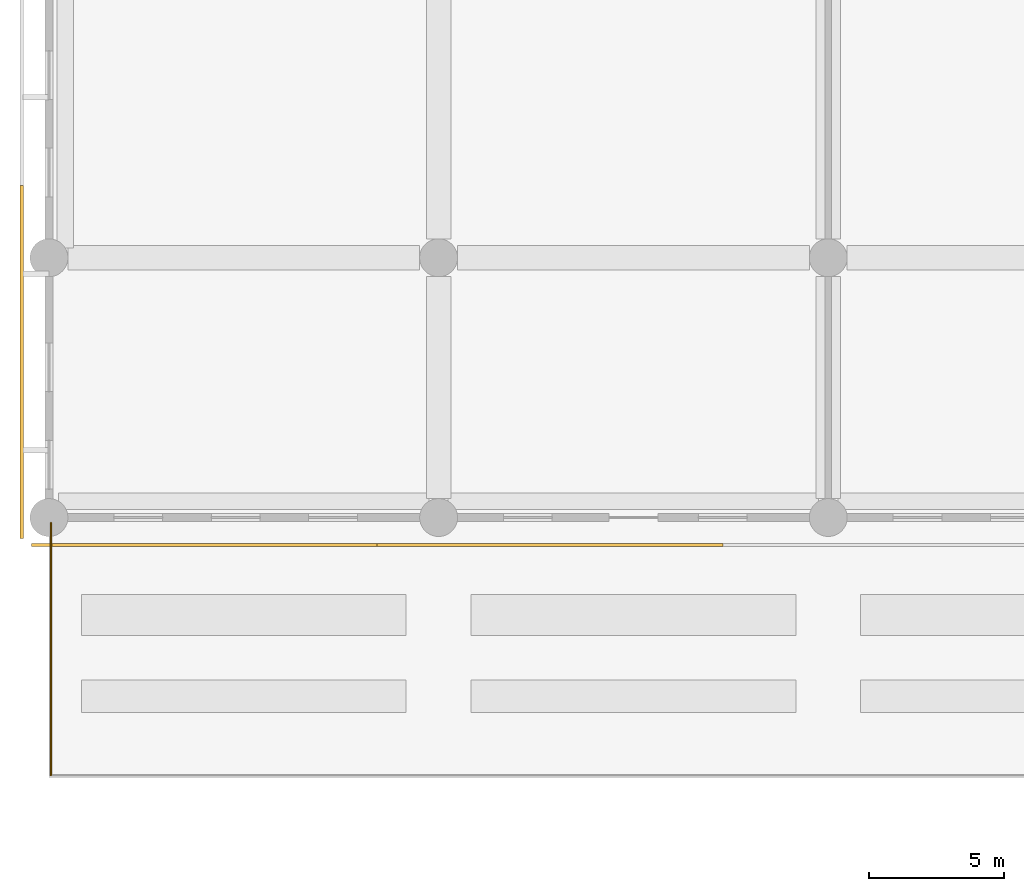
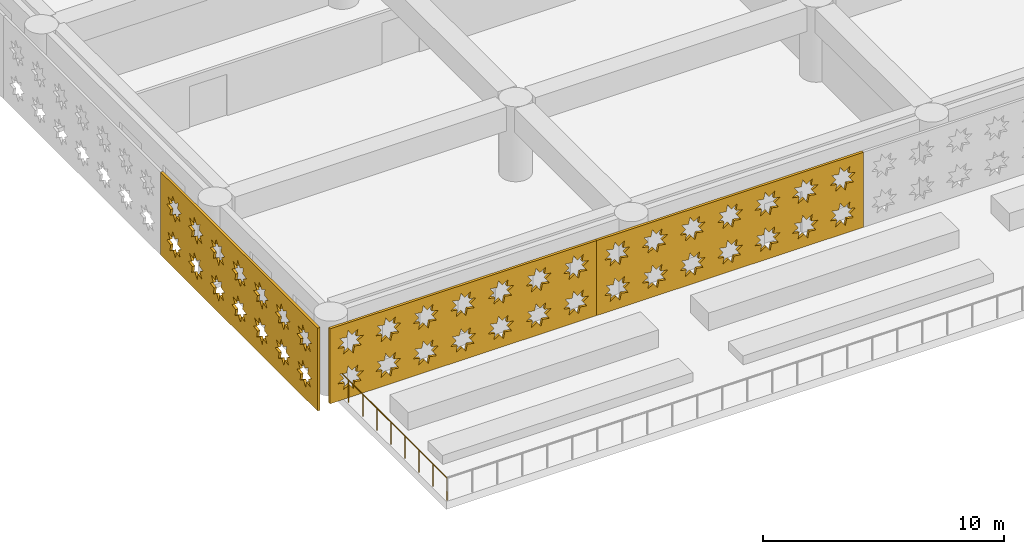
# One storey, part 12 of 24: 3 coverings, 1 railing.
"""IFC4 building model written with IfcOpenShell, lengths in metres."""

from ifc_helpers import new_model, si_unit, direction, frame, origin, origin_2d, place, context, subcontext, project, spatial, polyline, circle, outline, extrude, material, layer, layer_set, type_object, element, save


model = new_model("IFC4")

# Units and contexts
model_context = context("Model", 3, precision=1e-05, world=origin(), true_north=direction((0.0, 1.0)))
body_context = subcontext(model_context, "Body", "Model", "MODEL_VIEW")
ifc_project = project(units=[si_unit("LENGTHUNIT", "METRE"), si_unit("AREAUNIT", "SQUARE_METRE"), si_unit("VOLUMEUNIT", "CUBIC_METRE"), si_unit("PLANEANGLEUNIT", "RADIAN"), si_unit("MASSUNIT", "GRAM", prefix="KILO")], contexts=[model_context])

# Site, building, storey
site_placement = place(None, origin())
site = spatial("IfcSite", under=ifc_project, at=site_placement, CompositionType="ELEMENT")
building_placement = place(site_placement, origin())
building = spatial("IfcBuilding", under=site, at=building_placement, Name="Saffron Iwan Residences", CompositionType="ELEMENT")
storey_placement = place(building_placement, frame((0.0, 0.0, 13.199951171875)))
storey = spatial("IfcBuildingStorey", under=building, at=storey_placement, Name="L02", CompositionType="ELEMENT", Elevation=13.199951171875)

# Coverings
ifc_material_1 = material(Name="Terracotta screen, precast concrete C40/50", Category="masonry")
ifc_layer = layer(ifc_material_1, 0.1201171875)
ifc_layer_set = layer_set([ifc_layer], Name="Terracotta screen, precast concrete C40/50")
covering_type = type_object("IfcCoveringType", Name="PODIUM SCREEN GIRIH", PredefinedType="CLADDING", material=ifc_layer_set)
covering_1_placement = place(storey_placement, frame((-0.64990234375, 8.64990234375, 0.0), z_axis=(0.0, -1.0, 0.0), x_axis=(1.0, 0.0, 0.0)))
element("IfcCovering", 1, at=covering_1_placement, inside=storey, type_object=covering_type, Name="SCREEN girih terracotta L02 F0.0", PredefinedType="CLADDING", context=body_context, shape_type="SweptSolid", body=[
    extrude(outline(polyline([(0.0, 0.0), (12.777587890625, 0.0), (12.777587890625, 3.800048828125), (0.0, 3.800048828125), (0.0, 0.0)]), holes=[polyline([(1.5966796875, 1.12109375), (1.271484375, 1.18896484375), (1.333251953125, 1.515380859375), (1.05517578125, 1.33349609375), (0.867919921875, 1.608154296875), (0.7998046875, 1.28271484375), (0.47314453125, 1.344482421875), (0.6552734375, 1.06640625), (0.380615234375, 0.87890625), (0.7060546875, 0.81103515625), (0.644287109375, 0.484619140625), (0.92236328125, 0.66650390625), (1.109619140625, 0.391845703125), (1.177490234375, 0.71728515625), (1.50439453125, 0.655517578125), (1.322265625, 0.93359375), (1.5966796875, 1.12109375)]), polyline([(1.5966796875, 2.9208984375), (1.271484375, 2.989013671875), (1.333251953125, 3.3154296875), (1.05517578125, 3.133544921875), (0.867919921875, 3.408203125), (0.7998046875, 3.082763671875), (0.47314453125, 3.14453125), (0.6552734375, 2.8662109375), (0.380615234375, 2.678955078125), (0.7060546875, 2.611083984375), (0.644287109375, 2.284423828125), (0.92236328125, 2.466552734375), (1.109619140625, 2.19189453125), (1.177490234375, 2.517333984375), (1.50439453125, 2.45556640625), (1.322265625, 2.733642578125), (1.5966796875, 2.9208984375)]), polyline([(3.396728515625, 1.12109375), (3.0712890625, 1.18896484375), (3.13330078125, 1.515380859375), (2.85498046875, 1.33349609375), (2.667724609375, 1.608154296875), (2.599853515625, 1.28271484375), (2.273193359375, 1.344482421875), (2.455322265625, 1.06640625), (2.1806640625, 0.87890625), (2.506103515625, 0.81103515625), (2.4443359375, 0.484619140625), (2.722412109375, 0.66650390625), (2.90966796875, 0.391845703125), (2.9775390625, 0.71728515625), (3.30419921875, 0.655517578125), (3.122314453125, 0.93359375), (3.396728515625, 1.12109375)]), polyline([(3.396728515625, 2.9208984375), (3.0712890625, 2.989013671875), (3.13330078125, 3.3154296875), (2.85498046875, 3.133544921875), (2.667724609375, 3.408203125), (2.599853515625, 3.082763671875), (2.273193359375, 3.14453125), (2.455322265625, 2.8662109375), (2.1806640625, 2.678955078125), (2.506103515625, 2.611083984375), (2.4443359375, 2.284423828125), (2.722412109375, 2.466552734375), (2.90966796875, 2.19189453125), (2.9775390625, 2.517333984375), (3.30419921875, 2.45556640625), (3.122314453125, 2.733642578125), (3.396728515625, 2.9208984375)]), polyline([(5.19677734375, 1.12109375), (4.871337890625, 1.18896484375), (4.93310546875, 1.515380859375), (4.655029296875, 1.33349609375), (4.4677734375, 1.608154296875), (4.39990234375, 1.28271484375), (4.0732421875, 1.344482421875), (4.25537109375, 1.06640625), (3.980712890625, 0.87890625), (4.30615234375, 0.81103515625), (4.244384765625, 0.484619140625), (4.5224609375, 0.66650390625), (4.709716796875, 0.391845703125), (4.777587890625, 0.71728515625), (5.104248046875, 0.655517578125), (4.922119140625, 0.93359375), (5.19677734375, 1.12109375)]), polyline([(5.19677734375, 2.9208984375), (4.871337890625, 2.989013671875), (4.93310546875, 3.3154296875), (4.655029296875, 3.133544921875), (4.4677734375, 3.408203125), (4.39990234375, 3.082763671875), (4.0732421875, 3.14453125), (4.25537109375, 2.8662109375), (3.980712890625, 2.678955078125), (4.30615234375, 2.611083984375), (4.244384765625, 2.284423828125), (4.5224609375, 2.466552734375), (4.709716796875, 2.19189453125), (4.777587890625, 2.517333984375), (5.104248046875, 2.45556640625), (4.922119140625, 2.733642578125), (5.19677734375, 2.9208984375)]), polyline([(6.996826171875, 1.12109375), (6.67138671875, 1.18896484375), (6.733154296875, 1.515380859375), (6.455078125, 1.33349609375), (6.267822265625, 1.608154296875), (6.199951171875, 1.28271484375), (5.873291015625, 1.344482421875), (6.055419921875, 1.06640625), (5.78076171875, 0.87890625), (6.106201171875, 0.81103515625), (6.044189453125, 0.484619140625), (6.322509765625, 0.66650390625), (6.509765625, 0.391845703125), (6.57763671875, 0.71728515625), (6.904296875, 0.655517578125), (6.72216796875, 0.93359375), (6.996826171875, 1.12109375)]), polyline([(6.996826171875, 2.9208984375), (6.67138671875, 2.989013671875), (6.733154296875, 3.3154296875), (6.455078125, 3.133544921875), (6.267822265625, 3.408203125), (6.199951171875, 3.082763671875), (5.873291015625, 3.14453125), (6.055419921875, 2.8662109375), (5.78076171875, 2.678955078125), (6.106201171875, 2.611083984375), (6.044189453125, 2.284423828125), (6.322509765625, 2.466552734375), (6.509765625, 2.19189453125), (6.57763671875, 2.517333984375), (6.904296875, 2.45556640625), (6.72216796875, 2.733642578125), (6.996826171875, 2.9208984375)]), polyline([(8.796875, 1.12109375), (8.471435546875, 1.18896484375), (8.533203125, 1.515380859375), (8.255126953125, 1.33349609375), (8.06787109375, 1.608154296875), (8.0, 1.28271484375), (7.673095703125, 1.344482421875), (7.855224609375, 1.06640625), (7.580810546875, 0.87890625), (7.906005859375, 0.81103515625), (7.84423828125, 0.484619140625), (8.122314453125, 0.66650390625), (8.309814453125, 0.391845703125), (8.377685546875, 0.71728515625), (8.704345703125, 0.655517578125), (8.522216796875, 0.93359375), (8.796875, 1.12109375)]), polyline([(8.796875, 2.9208984375), (8.471435546875, 2.989013671875), (8.533203125, 3.3154296875), (8.255126953125, 3.133544921875), (8.06787109375, 3.408203125), (8.0, 3.082763671875), (7.673095703125, 3.14453125), (7.855224609375, 2.8662109375), (7.580810546875, 2.678955078125), (7.906005859375, 2.611083984375), (7.84423828125, 2.284423828125), (8.122314453125, 2.466552734375), (8.309814453125, 2.19189453125), (8.377685546875, 2.517333984375), (8.704345703125, 2.45556640625), (8.522216796875, 2.733642578125), (8.796875, 2.9208984375)]), polyline([(10.5966796875, 1.12109375), (10.271484375, 1.18896484375), (10.333251953125, 1.515380859375), (10.05517578125, 1.33349609375), (9.867919921875, 1.608154296875), (9.7998046875, 1.28271484375), (9.47314453125, 1.344482421875), (9.6552734375, 1.06640625), (9.380615234375, 0.87890625), (9.7060546875, 0.81103515625), (9.644287109375, 0.484619140625), (9.92236328125, 0.66650390625), (10.109619140625, 0.391845703125), (10.177490234375, 0.71728515625), (10.50439453125, 0.655517578125), (10.322265625, 0.93359375), (10.5966796875, 1.12109375)]), polyline([(10.5966796875, 2.9208984375), (10.271484375, 2.989013671875), (10.333251953125, 3.3154296875), (10.05517578125, 3.133544921875), (9.867919921875, 3.408203125), (9.7998046875, 3.082763671875), (9.47314453125, 3.14453125), (9.6552734375, 2.8662109375), (9.380615234375, 2.678955078125), (9.7060546875, 2.611083984375), (9.644287109375, 2.284423828125), (9.92236328125, 2.466552734375), (10.109619140625, 2.19189453125), (10.177490234375, 2.517333984375), (10.50439453125, 2.45556640625), (10.322265625, 2.733642578125), (10.5966796875, 2.9208984375)]), polyline([(12.396728515625, 1.12109375), (12.0712890625, 1.18896484375), (12.13330078125, 1.515380859375), (11.85498046875, 1.33349609375), (11.667724609375, 1.608154296875), (11.599853515625, 1.28271484375), (11.273193359375, 1.344482421875), (11.455322265625, 1.06640625), (11.1806640625, 0.87890625), (11.506103515625, 0.81103515625), (11.4443359375, 0.484619140625), (11.722412109375, 0.66650390625), (11.90966796875, 0.391845703125), (11.9775390625, 0.71728515625), (12.30419921875, 0.655517578125), (12.122314453125, 0.93359375), (12.396728515625, 1.12109375)]), polyline([(12.396728515625, 2.9208984375), (12.0712890625, 2.989013671875), (12.13330078125, 3.3154296875), (11.85498046875, 3.133544921875), (11.667724609375, 3.408203125), (11.599853515625, 3.082763671875), (11.273193359375, 3.14453125), (11.455322265625, 2.8662109375), (11.1806640625, 2.678955078125), (11.506103515625, 2.611083984375), (11.4443359375, 2.284423828125), (11.722412109375, 2.466552734375), (11.90966796875, 2.19189453125), (11.9775390625, 2.517333984375), (12.30419921875, 2.45556640625), (12.122314453125, 2.733642578125), (12.396728515625, 2.9208984375)])]), origin(), (0.0, 0.0, 1.0), 0.119873046875),
])
covering_2_placement = place(storey_placement, frame((12.12744140625, 8.64990234375, 0.0), z_axis=(0.0, -1.0, 0.0), x_axis=(1.0, 0.0, 0.0)))
element("IfcCovering", 2, at=covering_2_placement, inside=storey, type_object=covering_type, Name="SCREEN girih terracotta L02 F0.1", PredefinedType="CLADDING", context=body_context, shape_type="SweptSolid", body=[
    extrude(outline(polyline([(0.0, 0.0), (12.777587890625, 0.0), (12.777587890625, 3.800048828125), (0.0, 3.800048828125), (0.0, 0.0)]), holes=[polyline([(1.5966796875, 1.12109375), (1.271484375, 1.18896484375), (1.333251953125, 1.515380859375), (1.05517578125, 1.33349609375), (0.867919921875, 1.608154296875), (0.7998046875, 1.28271484375), (0.47314453125, 1.344482421875), (0.6552734375, 1.06640625), (0.380615234375, 0.87890625), (0.7060546875, 0.81103515625), (0.644287109375, 0.484619140625), (0.92236328125, 0.66650390625), (1.109619140625, 0.391845703125), (1.177490234375, 0.71728515625), (1.50439453125, 0.655517578125), (1.322265625, 0.93359375), (1.5966796875, 1.12109375)]), polyline([(1.5966796875, 2.9208984375), (1.271484375, 2.989013671875), (1.333251953125, 3.3154296875), (1.05517578125, 3.133544921875), (0.867919921875, 3.408203125), (0.7998046875, 3.082763671875), (0.47314453125, 3.14453125), (0.6552734375, 2.8662109375), (0.380615234375, 2.678955078125), (0.7060546875, 2.611083984375), (0.644287109375, 2.284423828125), (0.92236328125, 2.466552734375), (1.109619140625, 2.19189453125), (1.177490234375, 2.517333984375), (1.50439453125, 2.45556640625), (1.322265625, 2.733642578125), (1.5966796875, 2.9208984375)]), polyline([(3.396728515625, 1.12109375), (3.0712890625, 1.18896484375), (3.13330078125, 1.515380859375), (2.85498046875, 1.33349609375), (2.667724609375, 1.608154296875), (2.599853515625, 1.28271484375), (2.273193359375, 1.344482421875), (2.455322265625, 1.06640625), (2.1806640625, 0.87890625), (2.506103515625, 0.81103515625), (2.4443359375, 0.484619140625), (2.722412109375, 0.66650390625), (2.90966796875, 0.391845703125), (2.9775390625, 0.71728515625), (3.30419921875, 0.655517578125), (3.122314453125, 0.93359375), (3.396728515625, 1.12109375)]), polyline([(3.396728515625, 2.9208984375), (3.0712890625, 2.989013671875), (3.13330078125, 3.3154296875), (2.85498046875, 3.133544921875), (2.667724609375, 3.408203125), (2.599853515625, 3.082763671875), (2.273193359375, 3.14453125), (2.455322265625, 2.8662109375), (2.1806640625, 2.678955078125), (2.506103515625, 2.611083984375), (2.4443359375, 2.284423828125), (2.722412109375, 2.466552734375), (2.90966796875, 2.19189453125), (2.9775390625, 2.517333984375), (3.30419921875, 2.45556640625), (3.122314453125, 2.733642578125), (3.396728515625, 2.9208984375)]), polyline([(5.19677734375, 1.12109375), (4.871337890625, 1.18896484375), (4.93310546875, 1.515380859375), (4.655029296875, 1.33349609375), (4.4677734375, 1.608154296875), (4.39990234375, 1.28271484375), (4.0732421875, 1.344482421875), (4.25537109375, 1.06640625), (3.980712890625, 0.87890625), (4.30615234375, 0.81103515625), (4.244384765625, 0.484619140625), (4.5224609375, 0.66650390625), (4.709716796875, 0.391845703125), (4.777587890625, 0.71728515625), (5.104248046875, 0.655517578125), (4.922119140625, 0.93359375), (5.19677734375, 1.12109375)]), polyline([(5.19677734375, 2.9208984375), (4.871337890625, 2.989013671875), (4.93310546875, 3.3154296875), (4.655029296875, 3.133544921875), (4.4677734375, 3.408203125), (4.39990234375, 3.082763671875), (4.0732421875, 3.14453125), (4.25537109375, 2.8662109375), (3.980712890625, 2.678955078125), (4.30615234375, 2.611083984375), (4.244384765625, 2.284423828125), (4.5224609375, 2.466552734375), (4.709716796875, 2.19189453125), (4.777587890625, 2.517333984375), (5.104248046875, 2.45556640625), (4.922119140625, 2.733642578125), (5.19677734375, 2.9208984375)]), polyline([(6.996826171875, 1.12109375), (6.67138671875, 1.18896484375), (6.733154296875, 1.515380859375), (6.455078125, 1.33349609375), (6.267822265625, 1.608154296875), (6.199951171875, 1.28271484375), (5.873291015625, 1.344482421875), (6.055419921875, 1.06640625), (5.78076171875, 0.87890625), (6.106201171875, 0.81103515625), (6.044189453125, 0.484619140625), (6.322509765625, 0.66650390625), (6.509765625, 0.391845703125), (6.57763671875, 0.71728515625), (6.904296875, 0.655517578125), (6.72216796875, 0.93359375), (6.996826171875, 1.12109375)]), polyline([(6.996826171875, 2.9208984375), (6.67138671875, 2.989013671875), (6.733154296875, 3.3154296875), (6.455078125, 3.133544921875), (6.267822265625, 3.408203125), (6.199951171875, 3.082763671875), (5.873291015625, 3.14453125), (6.055419921875, 2.8662109375), (5.78076171875, 2.678955078125), (6.106201171875, 2.611083984375), (6.044189453125, 2.284423828125), (6.322509765625, 2.466552734375), (6.509765625, 2.19189453125), (6.57763671875, 2.517333984375), (6.904296875, 2.45556640625), (6.72216796875, 2.733642578125), (6.996826171875, 2.9208984375)]), polyline([(8.796875, 1.12109375), (8.471435546875, 1.18896484375), (8.533203125, 1.515380859375), (8.255126953125, 1.33349609375), (8.06787109375, 1.608154296875), (8.0, 1.28271484375), (7.673095703125, 1.344482421875), (7.855224609375, 1.06640625), (7.580810546875, 0.87890625), (7.906005859375, 0.81103515625), (7.84423828125, 0.484619140625), (8.122314453125, 0.66650390625), (8.309814453125, 0.391845703125), (8.377685546875, 0.71728515625), (8.704345703125, 0.655517578125), (8.522216796875, 0.93359375), (8.796875, 1.12109375)]), polyline([(8.796875, 2.9208984375), (8.471435546875, 2.989013671875), (8.533203125, 3.3154296875), (8.255126953125, 3.133544921875), (8.06787109375, 3.408203125), (8.0, 3.082763671875), (7.673095703125, 3.14453125), (7.855224609375, 2.8662109375), (7.580810546875, 2.678955078125), (7.906005859375, 2.611083984375), (7.84423828125, 2.284423828125), (8.122314453125, 2.466552734375), (8.309814453125, 2.19189453125), (8.377685546875, 2.517333984375), (8.704345703125, 2.45556640625), (8.522216796875, 2.733642578125), (8.796875, 2.9208984375)]), polyline([(10.5966796875, 1.12109375), (10.271484375, 1.18896484375), (10.333251953125, 1.515380859375), (10.05517578125, 1.33349609375), (9.867919921875, 1.608154296875), (9.7998046875, 1.28271484375), (9.47314453125, 1.344482421875), (9.6552734375, 1.06640625), (9.380615234375, 0.87890625), (9.7060546875, 0.81103515625), (9.644287109375, 0.484619140625), (9.92236328125, 0.66650390625), (10.109619140625, 0.391845703125), (10.177490234375, 0.71728515625), (10.50439453125, 0.655517578125), (10.322265625, 0.93359375), (10.5966796875, 1.12109375)]), polyline([(10.5966796875, 2.9208984375), (10.271484375, 2.989013671875), (10.333251953125, 3.3154296875), (10.05517578125, 3.133544921875), (9.867919921875, 3.408203125), (9.7998046875, 3.082763671875), (9.47314453125, 3.14453125), (9.6552734375, 2.8662109375), (9.380615234375, 2.678955078125), (9.7060546875, 2.611083984375), (9.644287109375, 2.284423828125), (9.92236328125, 2.466552734375), (10.109619140625, 2.19189453125), (10.177490234375, 2.517333984375), (10.50439453125, 2.45556640625), (10.322265625, 2.733642578125), (10.5966796875, 2.9208984375)]), polyline([(12.396728515625, 1.12109375), (12.0712890625, 1.18896484375), (12.13330078125, 1.515380859375), (11.85498046875, 1.33349609375), (11.667724609375, 1.608154296875), (11.599853515625, 1.28271484375), (11.273193359375, 1.344482421875), (11.455322265625, 1.06640625), (11.1806640625, 0.87890625), (11.506103515625, 0.81103515625), (11.4443359375, 0.484619140625), (11.722412109375, 0.66650390625), (11.90966796875, 0.391845703125), (11.9775390625, 0.71728515625), (12.30419921875, 0.655517578125), (12.122314453125, 0.93359375), (12.396728515625, 1.12109375)]), polyline([(12.396728515625, 2.9208984375), (12.0712890625, 2.989013671875), (12.13330078125, 3.3154296875), (11.85498046875, 3.133544921875), (11.667724609375, 3.408203125), (11.599853515625, 3.082763671875), (11.273193359375, 3.14453125), (11.455322265625, 2.8662109375), (11.1806640625, 2.678955078125), (11.506103515625, 2.611083984375), (11.4443359375, 2.284423828125), (11.722412109375, 2.466552734375), (11.90966796875, 2.19189453125), (11.9775390625, 2.517333984375), (12.30419921875, 2.45556640625), (12.122314453125, 2.733642578125), (12.396728515625, 2.9208984375)])]), origin(), (0.0, 0.0, 1.0), 0.119873046875),
])
covering_3_placement = place(storey_placement, frame((-0.949951171875, 21.86669921875, -0.39990234375), z_axis=(-1.0, 0.0, 0.0), x_axis=(0.0, -1.0, 0.0)))
element("IfcCovering", 3, at=covering_3_placement, inside=storey, type_object=covering_type, Name="SCREEN girih terracotta L02 F3.5", PredefinedType="CLADDING", context=body_context, shape_type="SweptSolid", body=[
    extrude(outline(polyline([(0.0, 0.0), (13.03662109375, 0.0), (13.03662109375, 4.199951171875), (0.0, 4.199951171875), (0.0, 0.0)]), holes=[polyline([(1.726318359375, 1.321044921875), (1.40087890625, 1.388916015625), (1.462890625, 1.715576171875), (1.184814453125, 1.533447265625), (0.997314453125, 1.80810546875), (0.929443359375, 1.482666015625), (0.602783203125, 1.54443359375), (0.784912109375, 1.266357421875), (0.51025390625, 1.0791015625), (0.835693359375, 1.010986328125), (0.77392578125, 0.6845703125), (1.052001953125, 0.866455078125), (1.2392578125, 0.591796875), (1.30712890625, 0.917236328125), (1.6337890625, 0.85546875), (1.451904296875, 1.1337890625), (1.726318359375, 1.321044921875)]), polyline([(1.726318359375, 3.12109375), (1.40087890625, 3.18896484375), (1.462890625, 3.515380859375), (1.184814453125, 3.33349609375), (0.997314453125, 3.608154296875), (0.929443359375, 3.28271484375), (0.602783203125, 3.344482421875), (0.784912109375, 3.06640625), (0.51025390625, 2.87890625), (0.835693359375, 2.81103515625), (0.77392578125, 2.484619140625), (1.052001953125, 2.66650390625), (1.2392578125, 2.391845703125), (1.30712890625, 2.71728515625), (1.6337890625, 2.655517578125), (1.451904296875, 2.93359375), (1.726318359375, 3.12109375)]), polyline([(3.5263671875, 1.321044921875), (3.200927734375, 1.388916015625), (3.2626953125, 1.715576171875), (2.984619140625, 1.533447265625), (2.79736328125, 1.80810546875), (2.7294921875, 1.482666015625), (2.40283203125, 1.54443359375), (2.5849609375, 1.266357421875), (2.310302734375, 1.0791015625), (2.635498046875, 1.010986328125), (2.573974609375, 0.6845703125), (2.85205078125, 0.866455078125), (3.039306640625, 0.591796875), (3.107177734375, 0.917236328125), (3.433837890625, 0.85546875), (3.251708984375, 1.1337890625), (3.5263671875, 1.321044921875)]), polyline([(3.5263671875, 3.12109375), (3.200927734375, 3.18896484375), (3.2626953125, 3.515380859375), (2.984619140625, 3.33349609375), (2.79736328125, 3.608154296875), (2.7294921875, 3.28271484375), (2.40283203125, 3.344482421875), (2.5849609375, 3.06640625), (2.310302734375, 2.87890625), (2.635498046875, 2.81103515625), (2.573974609375, 2.484619140625), (2.85205078125, 2.66650390625), (3.039306640625, 2.391845703125), (3.107177734375, 2.71728515625), (3.433837890625, 2.655517578125), (3.251708984375, 2.93359375), (3.5263671875, 3.12109375)]), polyline([(5.326416015625, 1.321044921875), (5.0009765625, 1.388916015625), (5.062744140625, 1.715576171875), (4.78466796875, 1.533447265625), (4.597412109375, 1.80810546875), (4.529296875, 1.482666015625), (4.202880859375, 1.54443359375), (4.385009765625, 1.266357421875), (4.110107421875, 1.0791015625), (4.435546875, 1.010986328125), (4.373779296875, 0.6845703125), (4.652099609375, 0.866455078125), (4.83935546875, 0.591796875), (4.9072265625, 0.917236328125), (5.23388671875, 0.85546875), (5.0517578125, 1.1337890625), (5.326416015625, 1.321044921875)]), polyline([(5.326416015625, 3.12109375), (5.0009765625, 3.18896484375), (5.062744140625, 3.515380859375), (4.78466796875, 3.33349609375), (4.597412109375, 3.608154296875), (4.529296875, 3.28271484375), (4.202880859375, 3.344482421875), (4.385009765625, 3.06640625), (4.110107421875, 2.87890625), (4.435546875, 2.81103515625), (4.373779296875, 2.484619140625), (4.652099609375, 2.66650390625), (4.83935546875, 2.391845703125), (4.9072265625, 2.71728515625), (5.23388671875, 2.655517578125), (5.0517578125, 2.93359375), (5.326416015625, 3.12109375)]), polyline([(7.12646484375, 1.321044921875), (6.801025390625, 1.388916015625), (6.86279296875, 1.715576171875), (6.584716796875, 1.533447265625), (6.3974609375, 1.80810546875), (6.329345703125, 1.482666015625), (6.002685546875, 1.54443359375), (6.184814453125, 1.266357421875), (5.91015625, 1.0791015625), (6.235595703125, 1.010986328125), (6.173828125, 0.6845703125), (6.451904296875, 0.866455078125), (6.639404296875, 0.591796875), (6.707275390625, 0.917236328125), (7.03369140625, 0.85546875), (6.851806640625, 1.1337890625), (7.12646484375, 1.321044921875)]), polyline([(7.12646484375, 3.12109375), (6.801025390625, 3.18896484375), (6.86279296875, 3.515380859375), (6.584716796875, 3.33349609375), (6.3974609375, 3.608154296875), (6.329345703125, 3.28271484375), (6.002685546875, 3.344482421875), (6.184814453125, 3.06640625), (5.91015625, 2.87890625), (6.235595703125, 2.81103515625), (6.173828125, 2.484619140625), (6.451904296875, 2.66650390625), (6.639404296875, 2.391845703125), (6.707275390625, 2.71728515625), (7.03369140625, 2.655517578125), (6.851806640625, 2.93359375), (7.12646484375, 3.12109375)]), polyline([(8.926513671875, 1.321044921875), (8.60107421875, 1.388916015625), (8.662841796875, 1.715576171875), (8.384765625, 1.533447265625), (8.197509765625, 1.80810546875), (8.12939453125, 1.482666015625), (7.802734375, 1.54443359375), (7.98486328125, 1.266357421875), (7.710205078125, 1.0791015625), (8.03564453125, 1.010986328125), (7.973876953125, 0.6845703125), (8.251953125, 0.866455078125), (8.439208984375, 0.591796875), (8.507080078125, 0.917236328125), (8.833740234375, 0.85546875), (8.65185546875, 1.1337890625), (8.926513671875, 1.321044921875)]), polyline([(8.926513671875, 3.12109375), (8.60107421875, 3.18896484375), (8.662841796875, 3.515380859375), (8.384765625, 3.33349609375), (8.197509765625, 3.608154296875), (8.12939453125, 3.28271484375), (7.802734375, 3.344482421875), (7.98486328125, 3.06640625), (7.710205078125, 2.87890625), (8.03564453125, 2.81103515625), (7.973876953125, 2.484619140625), (8.251953125, 2.66650390625), (8.439208984375, 2.391845703125), (8.507080078125, 2.71728515625), (8.833740234375, 2.655517578125), (8.65185546875, 2.93359375), (8.926513671875, 3.12109375)]), polyline([(10.726318359375, 1.321044921875), (10.40087890625, 1.388916015625), (10.462890625, 1.715576171875), (10.184814453125, 1.533447265625), (9.997314453125, 1.80810546875), (9.929443359375, 1.482666015625), (9.602783203125, 1.54443359375), (9.784912109375, 1.266357421875), (9.51025390625, 1.0791015625), (9.835693359375, 1.010986328125), (9.77392578125, 0.6845703125), (10.052001953125, 0.866455078125), (10.2392578125, 0.591796875), (10.30712890625, 0.917236328125), (10.6337890625, 0.85546875), (10.451904296875, 1.1337890625), (10.726318359375, 1.321044921875)]), polyline([(10.726318359375, 3.12109375), (10.40087890625, 3.18896484375), (10.462890625, 3.515380859375), (10.184814453125, 3.33349609375), (9.997314453125, 3.608154296875), (9.929443359375, 3.28271484375), (9.602783203125, 3.344482421875), (9.784912109375, 3.06640625), (9.51025390625, 2.87890625), (9.835693359375, 2.81103515625), (9.77392578125, 2.484619140625), (10.052001953125, 2.66650390625), (10.2392578125, 2.391845703125), (10.30712890625, 2.71728515625), (10.6337890625, 2.655517578125), (10.451904296875, 2.93359375), (10.726318359375, 3.12109375)]), polyline([(12.5263671875, 1.321044921875), (12.200927734375, 1.388916015625), (12.2626953125, 1.715576171875), (11.984619140625, 1.533447265625), (11.79736328125, 1.80810546875), (11.7294921875, 1.482666015625), (11.40283203125, 1.54443359375), (11.5849609375, 1.266357421875), (11.310302734375, 1.0791015625), (11.635498046875, 1.010986328125), (11.573974609375, 0.6845703125), (11.85205078125, 0.866455078125), (12.039306640625, 0.591796875), (12.107177734375, 0.917236328125), (12.433837890625, 0.85546875), (12.251708984375, 1.1337890625), (12.5263671875, 1.321044921875)]), polyline([(12.5263671875, 3.12109375), (12.200927734375, 3.18896484375), (12.2626953125, 3.515380859375), (11.984619140625, 3.33349609375), (11.79736328125, 3.608154296875), (11.7294921875, 3.28271484375), (11.40283203125, 3.344482421875), (11.5849609375, 3.06640625), (11.310302734375, 2.87890625), (11.635498046875, 2.81103515625), (11.573974609375, 2.484619140625), (11.85205078125, 2.66650390625), (12.039306640625, 2.391845703125), (12.107177734375, 2.71728515625), (12.433837890625, 2.655517578125), (12.251708984375, 2.93359375), (12.5263671875, 3.12109375)])]), origin(), (0.0, 0.0, 1.0), 0.1201171875),
])

# Railing
ifc_material_2 = material(Name="Stainless steel 316", Category="steel")
railing_type = type_object("IfcRailingType", Name="TERRACE GUARD 1150", PredefinedType="BALUSTRADE", material=ifc_material_2)
railing_placement = place(storey_placement, frame((0.074951171875, 0.074951171875, 0.0)))
element("IfcRailing", 4, at=railing_placement, inside=storey, type_object=railing_type, Name="Terrace guard L02 1", PredefinedType="BALUSTRADE", context=body_context, shape_type="SweptSolid", body=[
    extrude(circle(Radius=0.02392578125, at=origin_2d()), frame((0.0, 0.0, 1.1259765625), z_axis=(0.0, 1.0, 0.0), x_axis=(-1.0, 0.0, 0.0)), (0.0, 0.0, 1.0), 9.324951171875),
    extrude(circle(Radius=0.02099609375, at=origin_2d()), origin(), (0.0, 0.0, 1.0), 1.101806640625),
    extrude(circle(Radius=0.02099609375, at=origin_2d()), frame((0.0, 1.16552734375, 0.0)), (0.0, 0.0, 1.0), 1.101806640625),
    extrude(circle(Radius=0.02099609375, at=origin_2d()), frame((0.0, 2.331298828125, 0.0)), (0.0, 0.0, 1.0), 1.101806640625),
    extrude(circle(Radius=0.02099609375, at=origin_2d()), frame((0.0, 3.496826171875, 0.0)), (0.0, 0.0, 1.0), 1.101806640625),
    extrude(circle(Radius=0.02099609375, at=origin_2d()), frame((0.0, 4.66259765625, 0.0)), (0.0, 0.0, 1.0), 1.101806640625),
    extrude(circle(Radius=0.02099609375, at=origin_2d()), frame((0.0, 5.828125, 0.0)), (0.0, 0.0, 1.0), 1.101806640625),
    extrude(circle(Radius=0.02099609375, at=origin_2d()), frame((0.0, 6.99365234375, 0.0)), (0.0, 0.0, 1.0), 1.101806640625),
    extrude(circle(Radius=0.02099609375, at=origin_2d()), frame((0.0, 8.159423828125, 0.0)), (0.0, 0.0, 1.0), 1.101806640625),
    extrude(circle(Radius=0.02099609375, at=origin_2d()), frame((0.0, 9.324951171875, 0.0)), (0.0, 0.0, 1.0), 1.101806640625),
])

save(model, "model.ifc")
